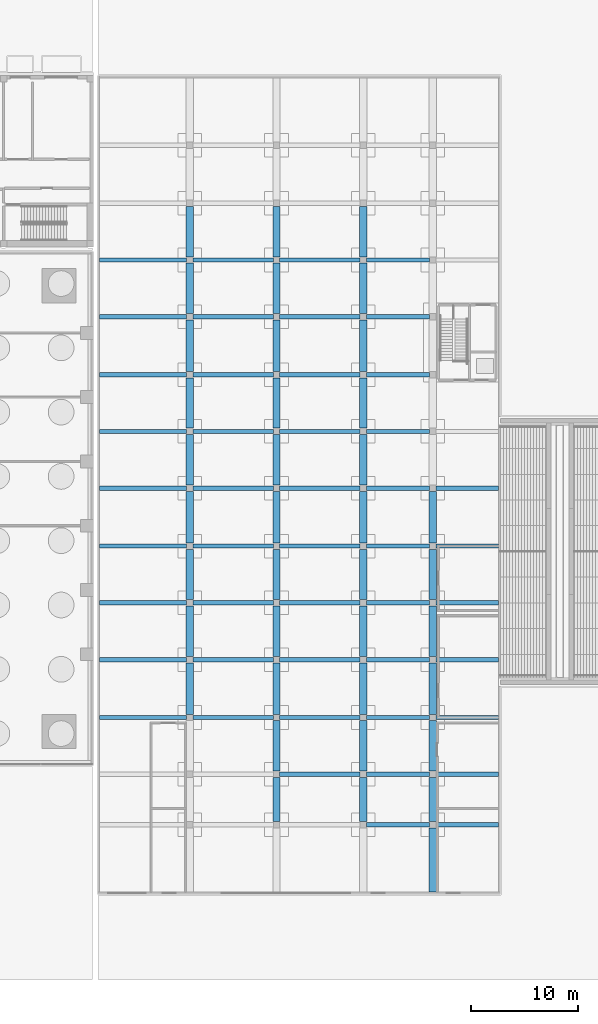
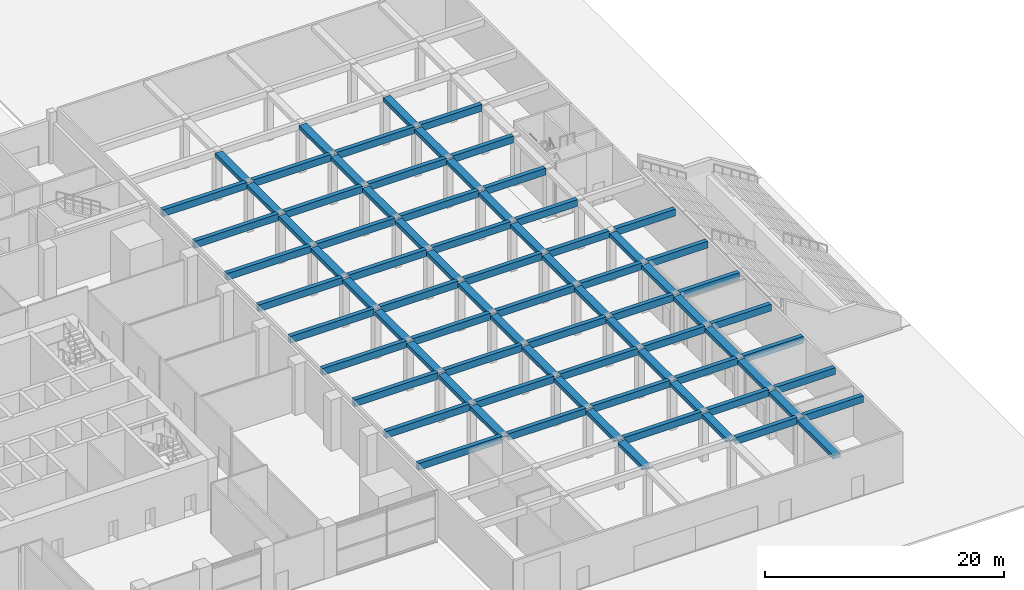
# One storey, part 6 of 33: 84 beams.
"""IFC4 building model written with IfcOpenShell, lengths in metres."""

from ifc_helpers import new_model, si_unit, direction, frame, origin, origin_2d, place, context, subcontext, project, spatial, rectangle, extrude, material, material_profile, profile_set, type_object, element, save


model = new_model("IFC4")

# Units and contexts
model_context = context("Model", 3, precision=1e-05, world=origin(), true_north=direction((0.0, 1.0)))
body_context = subcontext(model_context, "Body", "Model", "MODEL_VIEW")
ifc_project = project(units=[si_unit("LENGTHUNIT", "METRE"), si_unit("AREAUNIT", "SQUARE_METRE"), si_unit("VOLUMEUNIT", "CUBIC_METRE"), si_unit("PLANEANGLEUNIT", "RADIAN"), si_unit("MASSUNIT", "GRAM", prefix="KILO")], contexts=[model_context])

# Site, building, storey
site_placement = place(None, origin())
site = spatial("IfcSite", under=ifc_project, at=site_placement, CompositionType="ELEMENT")
building_placement = place(site_placement, origin())
building = spatial("IfcBuilding", under=site, at=building_placement, Name="Amberfall Residences", CompositionType="ELEMENT")
storey_placement = place(building_placement, origin())
storey = spatial("IfcBuildingStorey", under=building, at=storey_placement, Name="L00", CompositionType="ELEMENT", Elevation=0.0)

# Beams
ifc_material = material(Name="Concrete C50", Category="concrete")
ifc_material_profile = material_profile(ifc_material, rectangle(XDim=0.39990234375, YDim=0.699951171875, at=origin_2d()), Name="RC 400x700")
ifc_profile_set = profile_set([ifc_material_profile], Name="Concrete C50")
beam_type = type_object("IfcBeamType", Name="Car park beam 400x700 C50", PredefinedType="BEAM", material=ifc_profile_set)
beam_1_placement = place(storey_placement, frame((125.5, 14.5, 4.72998046875), z_axis=(1.0, 0.0, 0.0), x_axis=(0.0, 1.0, 0.0)))
element("IfcBeam", 1, at=beam_1_placement, inside=storey, type_object=beam_type, Name="Car park beam 400x700 C50 L00 004", PredefinedType="BEAM", context=body_context, shape_type="SweptSolid", body=[
    extrude(rectangle(XDim=0.39990234375, YDim=0.699951171875, at=origin_2d()), origin(), (0.0, 0.0, 1.0), 5.89990234375),
])
beam_2_placement = place(storey_placement, frame((132.0, 14.5, 4.72998046875), z_axis=(1.0, 0.0, 0.0), x_axis=(0.0, 1.0, 0.0)))
element("IfcBeam", 2, at=beam_2_placement, inside=storey, type_object=beam_type, Name="Car park beam 400x700 C50 L00 005", PredefinedType="BEAM", context=body_context, shape_type="SweptSolid", body=[
    extrude(rectangle(XDim=0.39990234375, YDim=0.699951171875, at=origin_2d()), origin(), (0.0, 0.0, 1.0), 5.800048828125),
])
beam_3_placement = place(storey_placement, frame((117.39990234375, 19.199951171875, 4.72998046875), z_axis=(1.0, 0.0, 0.0), x_axis=(0.0, 1.0, 0.0)))
element("IfcBeam", 3, at=beam_3_placement, inside=storey, type_object=beam_type, Name="Car park beam 400x700 C50 L00 008", PredefinedType="BEAM", context=body_context, shape_type="SweptSolid", body=[
    extrude(rectangle(XDim=0.39990234375, YDim=0.699951171875, at=origin_2d()), origin(), (0.0, 0.0, 1.0), 7.5),
])
beam_4_placement = place(storey_placement, frame((125.5, 19.199951171875, 4.72998046875), z_axis=(1.0, 0.0, 0.0), x_axis=(0.0, 1.0, 0.0)))
element("IfcBeam", 4, at=beam_4_placement, inside=storey, type_object=beam_type, Name="Car park beam 400x700 C50 L00 009", PredefinedType="BEAM", context=body_context, shape_type="SweptSolid", body=[
    extrude(rectangle(XDim=0.39990234375, YDim=0.699951171875, at=origin_2d()), origin(), (0.0, 0.0, 1.0), 5.89990234375),
])
beam_5_placement = place(storey_placement, frame((132.0, 19.199951171875, 4.72998046875), z_axis=(1.0, 0.0, 0.0), x_axis=(0.0, 1.0, 0.0)))
element("IfcBeam", 5, at=beam_5_placement, inside=storey, type_object=beam_type, Name="Car park beam 400x700 C50 L00 010", PredefinedType="BEAM", context=body_context, shape_type="SweptSolid", body=[
    extrude(rectangle(XDim=0.39990234375, YDim=0.699951171875, at=origin_2d()), origin(), (0.0, 0.0, 1.0), 5.800048828125),
])
beam_6_placement = place(storey_placement, frame((100.60009765625, 24.5, 4.72998046875), z_axis=(1.0, 0.0, 0.0), x_axis=(0.0, 1.0, 0.0)))
element("IfcBeam", 6, at=beam_6_placement, inside=storey, type_object=beam_type, Name="Car park beam 400x700 C50 L00 011", PredefinedType="BEAM", context=body_context, shape_type="SweptSolid", body=[
    extrude(rectangle(XDim=0.39990234375, YDim=0.699951171875, at=origin_2d()), origin(), (0.0, 0.0, 1.0), 8.099853515625),
])
for number, where, z_axis, x_axis, name in (
    (7, (109.300048828125, 24.5, 4.72998046875), (1.0, 0.0, 0.0), (0.0, 1.0, 0.0), "Car park beam 400x700 C50 L00 012"),
    (8, (117.39990234375, 24.5, 4.72998046875), (1.0, 0.0, 0.0), (0.0, 1.0, 0.0), "Car park beam 400x700 C50 L00 013"),
):
    element("IfcBeam", number, at=place(storey_placement, frame(where, z_axis=z_axis, x_axis=x_axis)), inside=storey, type_object=beam_type, Name=name, PredefinedType="BEAM", context=body_context, shape_type="SweptSolid", body=[
        extrude(rectangle(XDim=0.39990234375, YDim=0.699951171875, at=origin_2d()), origin(), (0.0, 0.0, 1.0), 7.5),
    ])
beam_7_placement = place(storey_placement, frame((125.5, 24.5, 4.72998046875), z_axis=(1.0, 0.0, 0.0), x_axis=(0.0, 1.0, 0.0)))
element("IfcBeam", 9, at=beam_7_placement, inside=storey, type_object=beam_type, Name="Car park beam 400x700 C50 L00 014", PredefinedType="BEAM", context=body_context, shape_type="SweptSolid", body=[
    extrude(rectangle(XDim=0.39990234375, YDim=0.699951171875, at=origin_2d()), origin(), (0.0, 0.0, 1.0), 5.89990234375),
])
beam_8_placement = place(storey_placement, frame((132.0, 24.5, 4.72998046875), z_axis=(1.0, 0.0, 0.0), x_axis=(0.0, 1.0, 0.0)))
element("IfcBeam", 10, at=beam_8_placement, inside=storey, type_object=beam_type, Name="Car park beam 400x700 C50 L00 015", PredefinedType="BEAM", context=body_context, shape_type="SweptSolid", body=[
    extrude(rectangle(XDim=0.39990234375, YDim=0.699951171875, at=origin_2d()), origin(), (0.0, 0.0, 1.0), 5.800048828125),
])
beam_9_placement = place(storey_placement, frame((100.60009765625, 29.89990234375, 4.72998046875), z_axis=(1.0, 0.0, 0.0), x_axis=(0.0, 1.0, 0.0)))
element("IfcBeam", 11, at=beam_9_placement, inside=storey, type_object=beam_type, Name="Car park beam 400x700 C50 L00 016", PredefinedType="BEAM", context=body_context, shape_type="SweptSolid", body=[
    extrude(rectangle(XDim=0.39990234375, YDim=0.699951171875, at=origin_2d()), origin(), (0.0, 0.0, 1.0), 8.099853515625),
])
for number, where, z_axis, x_axis, name in (
    (12, (109.300048828125, 29.89990234375, 4.72998046875), (1.0, 0.0, 0.0), (0.0, 1.0, 0.0), "Car park beam 400x700 C50 L00 017"),
    (13, (117.39990234375, 29.89990234375, 4.72998046875), (1.0, 0.0, 0.0), (0.0, 1.0, 0.0), "Car park beam 400x700 C50 L00 018"),
):
    element("IfcBeam", number, at=place(storey_placement, frame(where, z_axis=z_axis, x_axis=x_axis)), inside=storey, type_object=beam_type, Name=name, PredefinedType="BEAM", context=body_context, shape_type="SweptSolid", body=[
        extrude(rectangle(XDim=0.39990234375, YDim=0.699951171875, at=origin_2d()), origin(), (0.0, 0.0, 1.0), 7.5),
    ])
beam_10_placement = place(storey_placement, frame((125.5, 29.89990234375, 4.72998046875), z_axis=(1.0, 0.0, 0.0), x_axis=(0.0, 1.0, 0.0)))
element("IfcBeam", 14, at=beam_10_placement, inside=storey, type_object=beam_type, Name="Car park beam 400x700 C50 L00 019", PredefinedType="BEAM", context=body_context, shape_type="SweptSolid", body=[
    extrude(rectangle(XDim=0.39990234375, YDim=0.699951171875, at=origin_2d()), origin(), (0.0, 0.0, 1.0), 5.89990234375),
])
beam_11_placement = place(storey_placement, frame((132.0, 29.89990234375, 4.72998046875), z_axis=(1.0, 0.0, 0.0), x_axis=(0.0, 1.0, 0.0)))
element("IfcBeam", 15, at=beam_11_placement, inside=storey, type_object=beam_type, Name="Car park beam 400x700 C50 L00 020", PredefinedType="BEAM", context=body_context, shape_type="SweptSolid", body=[
    extrude(rectangle(XDim=0.39990234375, YDim=0.699951171875, at=origin_2d()), origin(), (0.0, 0.0, 1.0), 5.800048828125),
])
beam_12_placement = place(storey_placement, frame((100.60009765625, 35.199951171875, 4.72998046875), z_axis=(1.0, 0.0, 0.0), x_axis=(0.0, 1.0, 0.0)))
element("IfcBeam", 16, at=beam_12_placement, inside=storey, type_object=beam_type, Name="Car park beam 400x700 C50 L00 021", PredefinedType="BEAM", context=body_context, shape_type="SweptSolid", body=[
    extrude(rectangle(XDim=0.39990234375, YDim=0.699951171875, at=origin_2d()), origin(), (0.0, 0.0, 1.0), 8.099853515625),
])
for number, where, z_axis, x_axis, name in (
    (17, (109.300048828125, 35.199951171875, 4.72998046875), (1.0, 0.0, 0.0), (0.0, 1.0, 0.0), "Car park beam 400x700 C50 L00 022"),
    (18, (117.39990234375, 35.199951171875, 4.72998046875), (1.0, 0.0, 0.0), (0.0, 1.0, 0.0), "Car park beam 400x700 C50 L00 023"),
):
    element("IfcBeam", number, at=place(storey_placement, frame(where, z_axis=z_axis, x_axis=x_axis)), inside=storey, type_object=beam_type, Name=name, PredefinedType="BEAM", context=body_context, shape_type="SweptSolid", body=[
        extrude(rectangle(XDim=0.39990234375, YDim=0.699951171875, at=origin_2d()), origin(), (0.0, 0.0, 1.0), 7.5),
    ])
beam_13_placement = place(storey_placement, frame((125.5, 35.199951171875, 4.72998046875), z_axis=(1.0, 0.0, 0.0), x_axis=(0.0, 1.0, 0.0)))
element("IfcBeam", 19, at=beam_13_placement, inside=storey, type_object=beam_type, Name="Car park beam 400x700 C50 L00 024", PredefinedType="BEAM", context=body_context, shape_type="SweptSolid", body=[
    extrude(rectangle(XDim=0.39990234375, YDim=0.699951171875, at=origin_2d()), origin(), (0.0, 0.0, 1.0), 5.89990234375),
])
beam_14_placement = place(storey_placement, frame((132.0, 35.199951171875, 4.72998046875), z_axis=(1.0, 0.0, 0.0), x_axis=(0.0, 1.0, 0.0)))
element("IfcBeam", 20, at=beam_14_placement, inside=storey, type_object=beam_type, Name="Car park beam 400x700 C50 L00 025", PredefinedType="BEAM", context=body_context, shape_type="SweptSolid", body=[
    extrude(rectangle(XDim=0.39990234375, YDim=0.699951171875, at=origin_2d()), origin(), (0.0, 0.0, 1.0), 5.800048828125),
])
beam_15_placement = place(storey_placement, frame((100.60009765625, 40.5, 4.72998046875), z_axis=(1.0, 0.0, 0.0), x_axis=(0.0, 1.0, 0.0)))
element("IfcBeam", 21, at=beam_15_placement, inside=storey, type_object=beam_type, Name="Car park beam 400x700 C50 L00 026", PredefinedType="BEAM", context=body_context, shape_type="SweptSolid", body=[
    extrude(rectangle(XDim=0.39990234375, YDim=0.699951171875, at=origin_2d()), origin(), (0.0, 0.0, 1.0), 8.099853515625),
])
for number, where, z_axis, x_axis, name in (
    (22, (109.300048828125, 40.5, 4.72998046875), (1.0, 0.0, 0.0), (0.0, 1.0, 0.0), "Car park beam 400x700 C50 L00 027"),
    (23, (117.39990234375, 40.5, 4.72998046875), (1.0, 0.0, 0.0), (0.0, 1.0, 0.0), "Car park beam 400x700 C50 L00 028"),
):
    element("IfcBeam", number, at=place(storey_placement, frame(where, z_axis=z_axis, x_axis=x_axis)), inside=storey, type_object=beam_type, Name=name, PredefinedType="BEAM", context=body_context, shape_type="SweptSolid", body=[
        extrude(rectangle(XDim=0.39990234375, YDim=0.699951171875, at=origin_2d()), origin(), (0.0, 0.0, 1.0), 7.5),
    ])
beam_16_placement = place(storey_placement, frame((125.5, 40.5, 4.72998046875), z_axis=(1.0, 0.0, 0.0), x_axis=(0.0, 1.0, 0.0)))
element("IfcBeam", 24, at=beam_16_placement, inside=storey, type_object=beam_type, Name="Car park beam 400x700 C50 L00 029", PredefinedType="BEAM", context=body_context, shape_type="SweptSolid", body=[
    extrude(rectangle(XDim=0.39990234375, YDim=0.699951171875, at=origin_2d()), origin(), (0.0, 0.0, 1.0), 5.89990234375),
])
beam_17_placement = place(storey_placement, frame((132.0, 40.5, 4.72998046875), z_axis=(1.0, 0.0, 0.0), x_axis=(0.0, 1.0, 0.0)))
element("IfcBeam", 25, at=beam_17_placement, inside=storey, type_object=beam_type, Name="Car park beam 400x700 C50 L00 030", PredefinedType="BEAM", context=body_context, shape_type="SweptSolid", body=[
    extrude(rectangle(XDim=0.39990234375, YDim=0.699951171875, at=origin_2d()), origin(), (0.0, 0.0, 1.0), 5.800048828125),
])
beam_18_placement = place(storey_placement, frame((100.60009765625, 45.89990234375, 4.72998046875), z_axis=(1.0, 0.0, 0.0), x_axis=(0.0, 1.0, 0.0)))
element("IfcBeam", 26, at=beam_18_placement, inside=storey, type_object=beam_type, Name="Car park beam 400x700 C50 L00 031", PredefinedType="BEAM", context=body_context, shape_type="SweptSolid", body=[
    extrude(rectangle(XDim=0.39990234375, YDim=0.699951171875, at=origin_2d()), origin(), (0.0, 0.0, 1.0), 8.099853515625),
])
for number, where, z_axis, x_axis, name in (
    (27, (109.300048828125, 45.89990234375, 4.72998046875), (1.0, 0.0, 0.0), (0.0, 1.0, 0.0), "Car park beam 400x700 C50 L00 032"),
    (28, (117.39990234375, 45.89990234375, 4.72998046875), (1.0, 0.0, 0.0), (0.0, 1.0, 0.0), "Car park beam 400x700 C50 L00 033"),
):
    element("IfcBeam", number, at=place(storey_placement, frame(where, z_axis=z_axis, x_axis=x_axis)), inside=storey, type_object=beam_type, Name=name, PredefinedType="BEAM", context=body_context, shape_type="SweptSolid", body=[
        extrude(rectangle(XDim=0.39990234375, YDim=0.699951171875, at=origin_2d()), origin(), (0.0, 0.0, 1.0), 7.5),
    ])
beam_19_placement = place(storey_placement, frame((125.5, 45.89990234375, 4.72998046875), z_axis=(1.0, 0.0, 0.0), x_axis=(0.0, 1.0, 0.0)))
element("IfcBeam", 29, at=beam_19_placement, inside=storey, type_object=beam_type, Name="Car park beam 400x700 C50 L00 034", PredefinedType="BEAM", context=body_context, shape_type="SweptSolid", body=[
    extrude(rectangle(XDim=0.39990234375, YDim=0.699951171875, at=origin_2d()), origin(), (0.0, 0.0, 1.0), 5.89990234375),
])
beam_20_placement = place(storey_placement, frame((132.0, 45.89990234375, 4.72998046875), z_axis=(1.0, 0.0, 0.0), x_axis=(0.0, 1.0, 0.0)))
element("IfcBeam", 30, at=beam_20_placement, inside=storey, type_object=beam_type, Name="Car park beam 400x700 C50 L00 035", PredefinedType="BEAM", context=body_context, shape_type="SweptSolid", body=[
    extrude(rectangle(XDim=0.39990234375, YDim=0.699951171875, at=origin_2d()), origin(), (0.0, 0.0, 1.0), 5.800048828125),
])
beam_21_placement = place(storey_placement, frame((100.60009765625, 51.199951171875, 4.72998046875), z_axis=(1.0, 0.0, 0.0), x_axis=(0.0, 1.0, 0.0)))
element("IfcBeam", 31, at=beam_21_placement, inside=storey, type_object=beam_type, Name="Car park beam 400x700 C50 L00 036", PredefinedType="BEAM", context=body_context, shape_type="SweptSolid", body=[
    extrude(rectangle(XDim=0.39990234375, YDim=0.699951171875, at=origin_2d()), origin(), (0.0, 0.0, 1.0), 8.099853515625),
])
for number, where, z_axis, x_axis, name in (
    (32, (109.300048828125, 51.199951171875, 4.72998046875), (1.0, 0.0, 0.0), (0.0, 1.0, 0.0), "Car park beam 400x700 C50 L00 037"),
    (33, (117.39990234375, 51.199951171875, 4.72998046875), (1.0, 0.0, 0.0), (0.0, 1.0, 0.0), "Car park beam 400x700 C50 L00 038"),
):
    element("IfcBeam", number, at=place(storey_placement, frame(where, z_axis=z_axis, x_axis=x_axis)), inside=storey, type_object=beam_type, Name=name, PredefinedType="BEAM", context=body_context, shape_type="SweptSolid", body=[
        extrude(rectangle(XDim=0.39990234375, YDim=0.699951171875, at=origin_2d()), origin(), (0.0, 0.0, 1.0), 7.5),
    ])
beam_22_placement = place(storey_placement, frame((125.5, 51.199951171875, 4.72998046875), z_axis=(1.0, 0.0, 0.0), x_axis=(0.0, 1.0, 0.0)))
element("IfcBeam", 34, at=beam_22_placement, inside=storey, type_object=beam_type, Name="Car park beam 400x700 C50 L00 039", PredefinedType="BEAM", context=body_context, shape_type="SweptSolid", body=[
    extrude(rectangle(XDim=0.39990234375, YDim=0.699951171875, at=origin_2d()), origin(), (0.0, 0.0, 1.0), 5.89990234375),
])
beam_23_placement = place(storey_placement, frame((100.60009765625, 56.5, 4.72998046875), z_axis=(1.0, 0.0, 0.0), x_axis=(0.0, 1.0, 0.0)))
element("IfcBeam", 35, at=beam_23_placement, inside=storey, type_object=beam_type, Name="Car park beam 400x700 C50 L00 041", PredefinedType="BEAM", context=body_context, shape_type="SweptSolid", body=[
    extrude(rectangle(XDim=0.39990234375, YDim=0.699951171875, at=origin_2d()), origin(), (0.0, 0.0, 1.0), 8.099853515625),
])
for number, where, z_axis, x_axis, name in (
    (36, (109.300048828125, 56.5, 4.72998046875), (1.0, 0.0, 0.0), (0.0, 1.0, 0.0), "Car park beam 400x700 C50 L00 042"),
    (37, (117.39990234375, 56.5, 4.72998046875), (1.0, 0.0, 0.0), (0.0, 1.0, 0.0), "Car park beam 400x700 C50 L00 043"),
):
    element("IfcBeam", number, at=place(storey_placement, frame(where, z_axis=z_axis, x_axis=x_axis)), inside=storey, type_object=beam_type, Name=name, PredefinedType="BEAM", context=body_context, shape_type="SweptSolid", body=[
        extrude(rectangle(XDim=0.39990234375, YDim=0.699951171875, at=origin_2d()), origin(), (0.0, 0.0, 1.0), 7.5),
    ])
beam_24_placement = place(storey_placement, frame((125.5, 56.5, 4.72998046875), z_axis=(1.0, 0.0, 0.0), x_axis=(0.0, 1.0, 0.0)))
element("IfcBeam", 38, at=beam_24_placement, inside=storey, type_object=beam_type, Name="Car park beam 400x700 C50 L00 044", PredefinedType="BEAM", context=body_context, shape_type="SweptSolid", body=[
    extrude(rectangle(XDim=0.39990234375, YDim=0.699951171875, at=origin_2d()), origin(), (0.0, 0.0, 1.0), 5.89990234375),
])
beam_25_placement = place(storey_placement, frame((100.60009765625, 61.89990234375, 4.72998046875), z_axis=(1.0, 0.0, 0.0), x_axis=(0.0, 1.0, 0.0)))
element("IfcBeam", 39, at=beam_25_placement, inside=storey, type_object=beam_type, Name="Car park beam 400x700 C50 L00 045", PredefinedType="BEAM", context=body_context, shape_type="SweptSolid", body=[
    extrude(rectangle(XDim=0.39990234375, YDim=0.699951171875, at=origin_2d()), origin(), (0.0, 0.0, 1.0), 8.099853515625),
])
for number, where, z_axis, x_axis, name in (
    (40, (109.300048828125, 61.89990234375, 4.72998046875), (1.0, 0.0, 0.0), (0.0, 1.0, 0.0), "Car park beam 400x700 C50 L00 046"),
    (41, (117.39990234375, 61.89990234375, 4.72998046875), (1.0, 0.0, 0.0), (0.0, 1.0, 0.0), "Car park beam 400x700 C50 L00 047"),
):
    element("IfcBeam", number, at=place(storey_placement, frame(where, z_axis=z_axis, x_axis=x_axis)), inside=storey, type_object=beam_type, Name=name, PredefinedType="BEAM", context=body_context, shape_type="SweptSolid", body=[
        extrude(rectangle(XDim=0.39990234375, YDim=0.699951171875, at=origin_2d()), origin(), (0.0, 0.0, 1.0), 7.5),
    ])
beam_26_placement = place(storey_placement, frame((125.5, 61.89990234375, 4.72998046875), z_axis=(1.0, 0.0, 0.0), x_axis=(0.0, 1.0, 0.0)))
element("IfcBeam", 42, at=beam_26_placement, inside=storey, type_object=beam_type, Name="Car park beam 400x700 C50 L00 048", PredefinedType="BEAM", context=body_context, shape_type="SweptSolid", body=[
    extrude(rectangle(XDim=0.39990234375, YDim=0.699951171875, at=origin_2d()), origin(), (0.0, 0.0, 1.0), 5.89990234375),
])
beam_27_placement = place(storey_placement, frame((100.60009765625, 67.199951171875, 4.72998046875), z_axis=(1.0, 0.0, 0.0), x_axis=(0.0, 1.0, 0.0)))
element("IfcBeam", 43, at=beam_27_placement, inside=storey, type_object=beam_type, Name="Car park beam 400x700 C50 L00 049", PredefinedType="BEAM", context=body_context, shape_type="SweptSolid", body=[
    extrude(rectangle(XDim=0.39990234375, YDim=0.699951171875, at=origin_2d()), origin(), (0.0, 0.0, 1.0), 8.099853515625),
])
for number, where, z_axis, x_axis, name in (
    (44, (109.300048828125, 67.199951171875, 4.72998046875), (1.0, 0.0, 0.0), (0.0, 1.0, 0.0), "Car park beam 400x700 C50 L00 050"),
    (45, (117.39990234375, 67.199951171875, 4.72998046875), (1.0, 0.0, 0.0), (0.0, 1.0, 0.0), "Car park beam 400x700 C50 L00 051"),
):
    element("IfcBeam", number, at=place(storey_placement, frame(where, z_axis=z_axis, x_axis=x_axis)), inside=storey, type_object=beam_type, Name=name, PredefinedType="BEAM", context=body_context, shape_type="SweptSolid", body=[
        extrude(rectangle(XDim=0.39990234375, YDim=0.699951171875, at=origin_2d()), origin(), (0.0, 0.0, 1.0), 7.5),
    ])
beam_28_placement = place(storey_placement, frame((125.5, 67.199951171875, 4.72998046875), z_axis=(1.0, 0.0, 0.0), x_axis=(0.0, 1.0, 0.0)))
element("IfcBeam", 46, at=beam_28_placement, inside=storey, type_object=beam_type, Name="Car park beam 400x700 C50 L00 052", PredefinedType="BEAM", context=body_context, shape_type="SweptSolid", body=[
    extrude(rectangle(XDim=0.39990234375, YDim=0.699951171875, at=origin_2d()), origin(), (0.0, 0.0, 1.0), 5.89990234375),
])
beam_29_placement = place(storey_placement, frame((109.0, 24.800048828125, 4.72998046875), z_axis=(0.0, 1.0, 0.0), x_axis=(0.0, 0.0, 1.0)))
element("IfcBeam", 47, at=beam_29_placement, inside=storey, type_object=beam_type, Name="Car park beam 400x700 C50 L00 067", PredefinedType="BEAM", context=body_context, shape_type="SweptSolid", body=[
    extrude(rectangle(XDim=0.39990234375, YDim=0.699951171875, at=origin_2d()), origin(), (0.0, 0.0, 1.0), 4.800048828125),
])
for number, where, z_axis, x_axis, name in (
    (48, (109.0, 30.199951171875, 4.72998046875), (0.0, 1.0, 0.0), (0.0, 0.0, 1.0), "Car park beam 400x700 C50 L00 068"),
    (49, (109.0, 35.5, 4.72998046875), (0.0, 1.0, 0.0), (0.0, 0.0, 1.0), "Car park beam 400x700 C50 L00 069"),
):
    element("IfcBeam", number, at=place(storey_placement, frame(where, z_axis=z_axis, x_axis=x_axis)), inside=storey, type_object=beam_type, Name=name, PredefinedType="BEAM", context=body_context, shape_type="SweptSolid", body=[
        extrude(rectangle(XDim=0.39990234375, YDim=0.699951171875, at=origin_2d()), origin(), (0.0, 0.0, 1.0), 4.699951171875),
    ])
beam_30_placement = place(storey_placement, frame((109.0, 40.800048828125, 4.72998046875), z_axis=(0.0, 1.0, 0.0), x_axis=(0.0, 0.0, 1.0)))
element("IfcBeam", 50, at=beam_30_placement, inside=storey, type_object=beam_type, Name="Car park beam 400x700 C50 L00 070", PredefinedType="BEAM", context=body_context, shape_type="SweptSolid", body=[
    extrude(rectangle(XDim=0.39990234375, YDim=0.699951171875, at=origin_2d()), origin(), (0.0, 0.0, 1.0), 4.800048828125),
])
for number, where, z_axis, x_axis, name in (
    (51, (109.0, 46.199951171875, 4.72998046875), (0.0, 1.0, 0.0), (0.0, 0.0, 1.0), "Car park beam 400x700 C50 L00 071"),
    (52, (109.0, 51.5, 4.72998046875), (0.0, 1.0, 0.0), (0.0, 0.0, 1.0), "Car park beam 400x700 C50 L00 072"),
):
    element("IfcBeam", number, at=place(storey_placement, frame(where, z_axis=z_axis, x_axis=x_axis)), inside=storey, type_object=beam_type, Name=name, PredefinedType="BEAM", context=body_context, shape_type="SweptSolid", body=[
        extrude(rectangle(XDim=0.39990234375, YDim=0.699951171875, at=origin_2d()), origin(), (0.0, 0.0, 1.0), 4.699951171875),
    ])
beam_31_placement = place(storey_placement, frame((109.0, 56.800048828125, 4.72998046875), z_axis=(0.0, 1.0, 0.0), x_axis=(0.0, 0.0, 1.0)))
element("IfcBeam", 53, at=beam_31_placement, inside=storey, type_object=beam_type, Name="Car park beam 400x700 C50 L00 073", PredefinedType="BEAM", context=body_context, shape_type="SweptSolid", body=[
    extrude(rectangle(XDim=0.39990234375, YDim=0.699951171875, at=origin_2d()), origin(), (0.0, 0.0, 1.0), 4.800048828125),
])
for number, where, z_axis, x_axis, name in (
    (54, (109.0, 62.199951171875, 4.72998046875), (0.0, 1.0, 0.0), (0.0, 0.0, 1.0), "Car park beam 400x700 C50 L00 074"),
    (55, (109.0, 67.5, 4.72998046875), (0.0, 1.0, 0.0), (0.0, 0.0, 1.0), "Car park beam 400x700 C50 L00 075"),
):
    element("IfcBeam", number, at=place(storey_placement, frame(where, z_axis=z_axis, x_axis=x_axis)), inside=storey, type_object=beam_type, Name=name, PredefinedType="BEAM", context=body_context, shape_type="SweptSolid", body=[
        extrude(rectangle(XDim=0.39990234375, YDim=0.699951171875, at=origin_2d()), origin(), (0.0, 0.0, 1.0), 4.699951171875),
    ])
beam_32_placement = place(storey_placement, frame((117.10009765625, 14.800048828125, 4.72998046875), z_axis=(0.0, 1.0, 0.0), x_axis=(0.0, 0.0, 1.0)))
element("IfcBeam", 56, at=beam_32_placement, inside=storey, type_object=beam_type, Name="Car park beam 400x700 C50 L00 079", PredefinedType="BEAM", context=body_context, shape_type="SweptSolid", body=[
    extrude(rectangle(XDim=0.39990234375, YDim=0.699951171875, at=origin_2d()), origin(), (0.0, 0.0, 1.0), 4.099853515625),
])
beam_33_placement = place(storey_placement, frame((117.10009765625, 19.5, 4.72998046875), z_axis=(0.0, 1.0, 0.0), x_axis=(0.0, 0.0, 1.0)))
element("IfcBeam", 57, at=beam_33_placement, inside=storey, type_object=beam_type, Name="Car park beam 400x700 C50 L00 080", PredefinedType="BEAM", context=body_context, shape_type="SweptSolid", body=[
    extrude(rectangle(XDim=0.39990234375, YDim=0.699951171875, at=origin_2d()), origin(), (0.0, 0.0, 1.0), 4.699951171875),
])
beam_34_placement = place(storey_placement, frame((117.10009765625, 24.800048828125, 4.72998046875), z_axis=(0.0, 1.0, 0.0), x_axis=(0.0, 0.0, 1.0)))
element("IfcBeam", 58, at=beam_34_placement, inside=storey, type_object=beam_type, Name="Car park beam 400x700 C50 L00 081", PredefinedType="BEAM", context=body_context, shape_type="SweptSolid", body=[
    extrude(rectangle(XDim=0.39990234375, YDim=0.699951171875, at=origin_2d()), origin(), (0.0, 0.0, 1.0), 4.800048828125),
])
for number, where, z_axis, x_axis, name in (
    (59, (117.10009765625, 30.199951171875, 4.72998046875), (0.0, 1.0, 0.0), (0.0, 0.0, 1.0), "Car park beam 400x700 C50 L00 082"),
    (60, (117.10009765625, 35.5, 4.72998046875), (0.0, 1.0, 0.0), (0.0, 0.0, 1.0), "Car park beam 400x700 C50 L00 083"),
):
    element("IfcBeam", number, at=place(storey_placement, frame(where, z_axis=z_axis, x_axis=x_axis)), inside=storey, type_object=beam_type, Name=name, PredefinedType="BEAM", context=body_context, shape_type="SweptSolid", body=[
        extrude(rectangle(XDim=0.39990234375, YDim=0.699951171875, at=origin_2d()), origin(), (0.0, 0.0, 1.0), 4.699951171875),
    ])
beam_35_placement = place(storey_placement, frame((117.10009765625, 40.800048828125, 4.72998046875), z_axis=(0.0, 1.0, 0.0), x_axis=(0.0, 0.0, 1.0)))
element("IfcBeam", 61, at=beam_35_placement, inside=storey, type_object=beam_type, Name="Car park beam 400x700 C50 L00 084", PredefinedType="BEAM", context=body_context, shape_type="SweptSolid", body=[
    extrude(rectangle(XDim=0.39990234375, YDim=0.699951171875, at=origin_2d()), origin(), (0.0, 0.0, 1.0), 4.800048828125),
])
for number, where, z_axis, x_axis, name in (
    (62, (117.10009765625, 46.199951171875, 4.72998046875), (0.0, 1.0, 0.0), (0.0, 0.0, 1.0), "Car park beam 400x700 C50 L00 085"),
    (63, (117.10009765625, 51.5, 4.72998046875), (0.0, 1.0, 0.0), (0.0, 0.0, 1.0), "Car park beam 400x700 C50 L00 086"),
):
    element("IfcBeam", number, at=place(storey_placement, frame(where, z_axis=z_axis, x_axis=x_axis)), inside=storey, type_object=beam_type, Name=name, PredefinedType="BEAM", context=body_context, shape_type="SweptSolid", body=[
        extrude(rectangle(XDim=0.39990234375, YDim=0.699951171875, at=origin_2d()), origin(), (0.0, 0.0, 1.0), 4.699951171875),
    ])
beam_36_placement = place(storey_placement, frame((117.10009765625, 56.800048828125, 4.72998046875), z_axis=(0.0, 1.0, 0.0), x_axis=(0.0, 0.0, 1.0)))
element("IfcBeam", 64, at=beam_36_placement, inside=storey, type_object=beam_type, Name="Car park beam 400x700 C50 L00 087", PredefinedType="BEAM", context=body_context, shape_type="SweptSolid", body=[
    extrude(rectangle(XDim=0.39990234375, YDim=0.699951171875, at=origin_2d()), origin(), (0.0, 0.0, 1.0), 4.800048828125),
])
for number, where, z_axis, x_axis, name in (
    (65, (117.10009765625, 62.199951171875, 4.72998046875), (0.0, 1.0, 0.0), (0.0, 0.0, 1.0), "Car park beam 400x700 C50 L00 088"),
    (66, (117.10009765625, 67.5, 4.72998046875), (0.0, 1.0, 0.0), (0.0, 0.0, 1.0), "Car park beam 400x700 C50 L00 089"),
):
    element("IfcBeam", number, at=place(storey_placement, frame(where, z_axis=z_axis, x_axis=x_axis)), inside=storey, type_object=beam_type, Name=name, PredefinedType="BEAM", context=body_context, shape_type="SweptSolid", body=[
        extrude(rectangle(XDim=0.39990234375, YDim=0.699951171875, at=origin_2d()), origin(), (0.0, 0.0, 1.0), 4.699951171875),
    ])
beam_37_placement = place(storey_placement, frame((125.199951171875, 14.800048828125, 4.72998046875), z_axis=(0.0, 1.0, 0.0), x_axis=(0.0, 0.0, 1.0)))
element("IfcBeam", 67, at=beam_37_placement, inside=storey, type_object=beam_type, Name="Car park beam 400x700 C50 L00 093", PredefinedType="BEAM", context=body_context, shape_type="SweptSolid", body=[
    extrude(rectangle(XDim=0.39990234375, YDim=0.699951171875, at=origin_2d()), origin(), (0.0, 0.0, 1.0), 4.099853515625),
])
beam_38_placement = place(storey_placement, frame((125.199951171875, 19.5, 4.72998046875), z_axis=(0.0, 1.0, 0.0), x_axis=(0.0, 0.0, 1.0)))
element("IfcBeam", 68, at=beam_38_placement, inside=storey, type_object=beam_type, Name="Car park beam 400x700 C50 L00 094", PredefinedType="BEAM", context=body_context, shape_type="SweptSolid", body=[
    extrude(rectangle(XDim=0.39990234375, YDim=0.699951171875, at=origin_2d()), origin(), (0.0, 0.0, 1.0), 4.699951171875),
])
beam_39_placement = place(storey_placement, frame((125.199951171875, 24.800048828125, 4.72998046875), z_axis=(0.0, 1.0, 0.0), x_axis=(0.0, 0.0, 1.0)))
element("IfcBeam", 69, at=beam_39_placement, inside=storey, type_object=beam_type, Name="Car park beam 400x700 C50 L00 095", PredefinedType="BEAM", context=body_context, shape_type="SweptSolid", body=[
    extrude(rectangle(XDim=0.39990234375, YDim=0.699951171875, at=origin_2d()), origin(), (0.0, 0.0, 1.0), 4.800048828125),
])
for number, where, z_axis, x_axis, name in (
    (70, (125.199951171875, 30.199951171875, 4.72998046875), (0.0, 1.0, 0.0), (0.0, 0.0, 1.0), "Car park beam 400x700 C50 L00 096"),
    (71, (125.199951171875, 35.5, 4.72998046875), (0.0, 1.0, 0.0), (0.0, 0.0, 1.0), "Car park beam 400x700 C50 L00 097"),
):
    element("IfcBeam", number, at=place(storey_placement, frame(where, z_axis=z_axis, x_axis=x_axis)), inside=storey, type_object=beam_type, Name=name, PredefinedType="BEAM", context=body_context, shape_type="SweptSolid", body=[
        extrude(rectangle(XDim=0.39990234375, YDim=0.699951171875, at=origin_2d()), origin(), (0.0, 0.0, 1.0), 4.699951171875),
    ])
beam_40_placement = place(storey_placement, frame((125.199951171875, 40.800048828125, 4.72998046875), z_axis=(0.0, 1.0, 0.0), x_axis=(0.0, 0.0, 1.0)))
element("IfcBeam", 72, at=beam_40_placement, inside=storey, type_object=beam_type, Name="Car park beam 400x700 C50 L00 098", PredefinedType="BEAM", context=body_context, shape_type="SweptSolid", body=[
    extrude(rectangle(XDim=0.39990234375, YDim=0.699951171875, at=origin_2d()), origin(), (0.0, 0.0, 1.0), 4.800048828125),
])
for number, where, z_axis, x_axis, name in (
    (73, (125.199951171875, 46.199951171875, 4.72998046875), (0.0, 1.0, 0.0), (0.0, 0.0, 1.0), "Car park beam 400x700 C50 L00 099"),
    (74, (125.199951171875, 51.5, 4.72998046875), (0.0, 1.0, 0.0), (0.0, 0.0, 1.0), "Car park beam 400x700 C50 L00 100"),
):
    element("IfcBeam", number, at=place(storey_placement, frame(where, z_axis=z_axis, x_axis=x_axis)), inside=storey, type_object=beam_type, Name=name, PredefinedType="BEAM", context=body_context, shape_type="SweptSolid", body=[
        extrude(rectangle(XDim=0.39990234375, YDim=0.699951171875, at=origin_2d()), origin(), (0.0, 0.0, 1.0), 4.699951171875),
    ])
beam_41_placement = place(storey_placement, frame((125.199951171875, 56.800048828125, 4.72998046875), z_axis=(0.0, 1.0, 0.0), x_axis=(0.0, 0.0, 1.0)))
element("IfcBeam", 75, at=beam_41_placement, inside=storey, type_object=beam_type, Name="Car park beam 400x700 C50 L00 101", PredefinedType="BEAM", context=body_context, shape_type="SweptSolid", body=[
    extrude(rectangle(XDim=0.39990234375, YDim=0.699951171875, at=origin_2d()), origin(), (0.0, 0.0, 1.0), 4.800048828125),
])
for number, where, z_axis, x_axis, name in (
    (76, (125.199951171875, 62.199951171875, 4.72998046875), (0.0, 1.0, 0.0), (0.0, 0.0, 1.0), "Car park beam 400x700 C50 L00 102"),
    (77, (125.199951171875, 67.5, 4.72998046875), (0.0, 1.0, 0.0), (0.0, 0.0, 1.0), "Car park beam 400x700 C50 L00 103"),
):
    element("IfcBeam", number, at=place(storey_placement, frame(where, z_axis=z_axis, x_axis=x_axis)), inside=storey, type_object=beam_type, Name=name, PredefinedType="BEAM", context=body_context, shape_type="SweptSolid", body=[
        extrude(rectangle(XDim=0.39990234375, YDim=0.699951171875, at=origin_2d()), origin(), (0.0, 0.0, 1.0), 4.699951171875),
    ])
beam_42_placement = place(storey_placement, frame((131.699951171875, 8.199951171875, 4.72998046875), z_axis=(0.0, 1.0, 0.0), x_axis=(0.0, 0.0, 1.0)))
element("IfcBeam", 78, at=beam_42_placement, inside=storey, type_object=beam_type, Name="Car park beam 400x700 C50 L00 106", PredefinedType="BEAM", context=body_context, shape_type="SweptSolid", body=[
    extrude(rectangle(XDim=0.39990234375, YDim=0.699951171875, at=origin_2d()), origin(), (0.0, 0.0, 1.0), 6.0),
])
beam_43_placement = place(storey_placement, frame((131.699951171875, 14.800048828125, 4.72998046875), z_axis=(0.0, 1.0, 0.0), x_axis=(0.0, 0.0, 1.0)))
element("IfcBeam", 79, at=beam_43_placement, inside=storey, type_object=beam_type, Name="Car park beam 400x700 C50 L00 107", PredefinedType="BEAM", context=body_context, shape_type="SweptSolid", body=[
    extrude(rectangle(XDim=0.39990234375, YDim=0.699951171875, at=origin_2d()), origin(), (0.0, 0.0, 1.0), 4.099853515625),
])
beam_44_placement = place(storey_placement, frame((131.699951171875, 19.5, 4.72998046875), z_axis=(0.0, 1.0, 0.0), x_axis=(0.0, 0.0, 1.0)))
element("IfcBeam", 80, at=beam_44_placement, inside=storey, type_object=beam_type, Name="Car park beam 400x700 C50 L00 108", PredefinedType="BEAM", context=body_context, shape_type="SweptSolid", body=[
    extrude(rectangle(XDim=0.39990234375, YDim=0.699951171875, at=origin_2d()), origin(), (0.0, 0.0, 1.0), 4.699951171875),
])
beam_45_placement = place(storey_placement, frame((131.699951171875, 24.800048828125, 4.72998046875), z_axis=(0.0, 1.0, 0.0), x_axis=(0.0, 0.0, 1.0)))
element("IfcBeam", 81, at=beam_45_placement, inside=storey, type_object=beam_type, Name="Car park beam 400x700 C50 L00 109", PredefinedType="BEAM", context=body_context, shape_type="SweptSolid", body=[
    extrude(rectangle(XDim=0.39990234375, YDim=0.699951171875, at=origin_2d()), origin(), (0.0, 0.0, 1.0), 4.800048828125),
])
for number, where, z_axis, x_axis, name in (
    (82, (131.699951171875, 30.199951171875, 4.72998046875), (0.0, 1.0, 0.0), (0.0, 0.0, 1.0), "Car park beam 400x700 C50 L00 110"),
    (83, (131.699951171875, 35.5, 4.72998046875), (0.0, 1.0, 0.0), (0.0, 0.0, 1.0), "Car park beam 400x700 C50 L00 111"),
):
    element("IfcBeam", number, at=place(storey_placement, frame(where, z_axis=z_axis, x_axis=x_axis)), inside=storey, type_object=beam_type, Name=name, PredefinedType="BEAM", context=body_context, shape_type="SweptSolid", body=[
        extrude(rectangle(XDim=0.39990234375, YDim=0.699951171875, at=origin_2d()), origin(), (0.0, 0.0, 1.0), 4.699951171875),
    ])
beam_46_placement = place(storey_placement, frame((131.699951171875, 40.800048828125, 4.72998046875), z_axis=(0.0, 1.0, 0.0), x_axis=(0.0, 0.0, 1.0)))
element("IfcBeam", 84, at=beam_46_placement, inside=storey, type_object=beam_type, Name="Car park beam 400x700 C50 L00 112", PredefinedType="BEAM", context=body_context, shape_type="SweptSolid", body=[
    extrude(rectangle(XDim=0.39990234375, YDim=0.699951171875, at=origin_2d()), origin(), (0.0, 0.0, 1.0), 4.800048828125),
])

save(model, "model.ifc")
